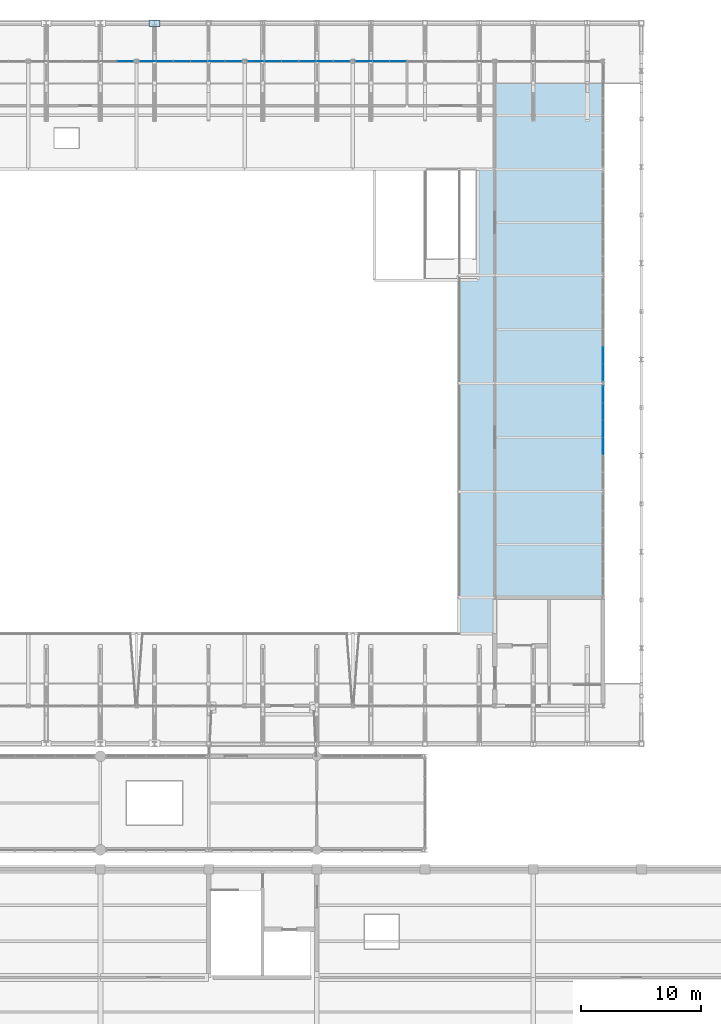
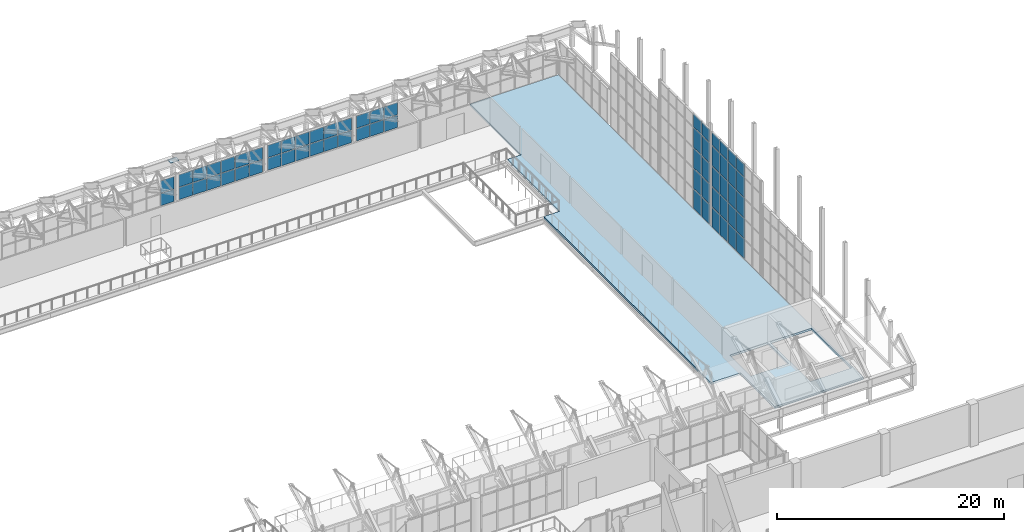
# One storey, part 103 of 134: 63 plates, 1 slab, 6 elements without a shape of their own.
"""IFC4 building model written with IfcOpenShell, lengths in metres."""

from ifc_helpers import new_model, si_unit, direction, frame, origin, origin_2d, place, context, subcontext, project, spatial, polyline, rectangle, outline, extrude, material, layer, layer_set, type_object, element, aggregate, save


model = new_model("IFC4")

# Units and contexts
model_context = context("Model", 3, precision=1e-05, world=origin(), true_north=direction((0.0, 1.0)))
body_context = subcontext(model_context, "Body", "Model", "MODEL_VIEW")
ifc_project = project(units=[si_unit("LENGTHUNIT", "METRE"), si_unit("AREAUNIT", "SQUARE_METRE"), si_unit("VOLUMEUNIT", "CUBIC_METRE"), si_unit("PLANEANGLEUNIT", "RADIAN"), si_unit("MASSUNIT", "GRAM", prefix="KILO")], contexts=[model_context])

# Site, building, storey
site_placement = place(None, origin())
site = spatial("IfcSite", under=ifc_project, at=site_placement, CompositionType="ELEMENT")
building_placement = place(site_placement, origin())
building = spatial("IfcBuilding", under=site, at=building_placement, Name="Cazmaro Siding Exhibition Halls", CompositionType="ELEMENT")
storey_placement = place(building_placement, frame((0.0, 0.0, 12.0)))
storey = spatial("IfcBuildingStorey", under=building, at=storey_placement, Name="L02", CompositionType="ELEMENT", Elevation=12.0)

# Plate
ifc_material_1 = material(Name="Steel ASTM A572 Grade 50", Category="steel")
ifc_layer_1 = layer(ifc_material_1, 0.053955078125)
ifc_layer_set_1 = layer_set([ifc_layer_1], Name="Steel ASTM A572 Grade 50")
plate_type_1 = type_object("IfcPlateType", Name="CP-10", PredefinedType="SHEET", material=ifc_layer_set_1)
plate_1_placement = place(storey_placement, frame((130.5, 123.949951171875, 1.9228515625), z_axis=(0.0, 0.0, 1.0), x_axis=(1.0, 0.0, 0.0)))
element("IfcPlate", 1, at=plate_1_placement, inside=storey, type_object=plate_type_1, Name="Space frame vault springing end-cap plate CP-10 node TN-01", PredefinedType="SHEET", context=body_context, shape_type="SweptSolid", body=[
    extrude(rectangle(XDim=0.8798828125, YDim=0.56005859375, at=origin_2d()), origin(), (0.0, 0.0, 1.0), 0.053955078125),
])

# Curtain wall, plates
ifc_material_2 = material(Name="Anodized Bronze Aluminum and Solar-Control Low-E Glazing", Category="aluminium")
ifc_layer_2 = layer(ifc_material_2, 0.219970703125)
ifc_layer_set_2 = layer_set([ifc_layer_2], Name="Anodized Bronze Aluminum and Solar-Control Low-E Glazing")
curtain_wall_type_1 = type_object("IfcCurtainWallType", Name="CWS-03", PredefinedType="USERDEFINED", material=ifc_layer_set_2)
curtain_wall_1_placement = place(storey_placement, origin())
curtain_wall_1 = element("IfcCurtainWall", 2, at=curtain_wall_1_placement, inside=storey, type_object=curtain_wall_type_1, Name="Glazed Curtain Wall CWS-03 CW-070", ObjectType="GLAZED CURTAIN WALL", PredefinedType="USERDEFINED")
ifc_material_3 = material(Name="Solar-Control Low-E Double Insulating Glass", Category="glass")
ifc_layer_3 = layer(ifc_material_3, 0.0458984375)
ifc_layer_set_3 = layer_set([ifc_layer_3], Name="Solar-Control Low-E Double Insulating Glass")
plate_type_2 = type_object("IfcPlateType", Name="CWP-03", PredefinedType="CURTAIN_PANEL", material=ifc_layer_set_3)
plate_2_placement = place(storey_placement, frame((167.800048828125, 88.779541015625, 0.06982421875), z_axis=(0.0, 0.0, 1.0), x_axis=(0.0, 1.0, 0.0)))
plate_2 = element("IfcPlate", 3, at=plate_2_placement, type_object=plate_type_2, Name="CWS-03 panel 3.1", PredefinedType="CURTAIN_PANEL", context=body_context, shape_type="SweptSolid", body=[
    extrude(rectangle(XDim=1.37109375, YDim=0.0458984375, at=origin_2d()), origin(), (0.0, 0.0, 1.0), 2.094970703125),
])
plate_3_placement = place(storey_placement, frame((167.800048828125, 88.779541015625, 2.235107421875), z_axis=(0.0, 0.0, 1.0), x_axis=(0.0, 1.0, 0.0)))
plate_3 = element("IfcPlate", 4, at=plate_3_placement, type_object=plate_type_2, Name="CWS-03 panel 3.2", PredefinedType="CURTAIN_PANEL", context=body_context, shape_type="SweptSolid", body=[
    extrude(rectangle(XDim=1.37109375, YDim=0.0458984375, at=origin_2d()), origin(), (0.0, 0.0, 1.0), 2.1298828125),
])
plate_4_placement = place(storey_placement, frame((167.800048828125, 88.779541015625, 4.43505859375), z_axis=(0.0, 0.0, 1.0), x_axis=(0.0, 1.0, 0.0)))
plate_4 = element("IfcPlate", 5, at=plate_4_placement, type_object=plate_type_2, Name="CWS-03 panel 3.3", PredefinedType="CURTAIN_PANEL", context=body_context, shape_type="SweptSolid", body=[
    extrude(rectangle(XDim=1.37109375, YDim=0.0458984375, at=origin_2d()), origin(), (0.0, 0.0, 1.0), 2.1298828125),
])
plate_5_placement = place(storey_placement, frame((167.800048828125, 88.779541015625, 6.635009765625), z_axis=(0.0, 0.0, 1.0), x_axis=(0.0, 1.0, 0.0)))
plate_5 = element("IfcPlate", 6, at=plate_5_placement, type_object=plate_type_2, Name="CWS-03 panel 3.4", PredefinedType="CURTAIN_PANEL", context=body_context, shape_type="SweptSolid", body=[
    extrude(rectangle(XDim=1.37109375, YDim=0.0458984375, at=origin_2d()), origin(), (0.0, 0.0, 1.0), 2.1298828125),
])
plate_6_placement = place(storey_placement, frame((167.800048828125, 88.779541015625, 8.8349609375), z_axis=(0.0, 0.0, 1.0), x_axis=(0.0, 1.0, 0.0)))
plate_6 = element("IfcPlate", 7, at=plate_6_placement, type_object=plate_type_2, Name="CWS-03 panel 3.5", PredefinedType="CURTAIN_PANEL", context=body_context, shape_type="SweptSolid", body=[
    extrude(rectangle(XDim=1.37109375, YDim=0.0458984375, at=origin_2d()), origin(), (0.0, 0.0, 1.0), 1.35302734375),
])
plate_7_placement = place(storey_placement, frame((167.800048828125, 90.220458984375, 0.06982421875), z_axis=(0.0, 0.0, 1.0), x_axis=(0.0, 1.0, 0.0)))
plate_7 = element("IfcPlate", 8, at=plate_7_placement, type_object=plate_type_2, Name="CWS-03 panel 4.1", PredefinedType="CURTAIN_PANEL", context=body_context, shape_type="SweptSolid", body=[
    extrude(rectangle(XDim=1.37109375, YDim=0.0458984375, at=origin_2d()), origin(), (0.0, 0.0, 1.0), 2.094970703125),
])
plate_8_placement = place(storey_placement, frame((167.800048828125, 90.220458984375, 2.235107421875), z_axis=(0.0, 0.0, 1.0), x_axis=(0.0, 1.0, 0.0)))
plate_8 = element("IfcPlate", 9, at=plate_8_placement, type_object=plate_type_2, Name="CWS-03 panel 4.2", PredefinedType="CURTAIN_PANEL", context=body_context, shape_type="SweptSolid", body=[
    extrude(rectangle(XDim=1.37109375, YDim=0.0458984375, at=origin_2d()), origin(), (0.0, 0.0, 1.0), 2.1298828125),
])
plate_9_placement = place(storey_placement, frame((167.800048828125, 90.220458984375, 4.43505859375), z_axis=(0.0, 0.0, 1.0), x_axis=(0.0, 1.0, 0.0)))
plate_9 = element("IfcPlate", 10, at=plate_9_placement, type_object=plate_type_2, Name="CWS-03 panel 4.3", PredefinedType="CURTAIN_PANEL", context=body_context, shape_type="SweptSolid", body=[
    extrude(rectangle(XDim=1.37109375, YDim=0.0458984375, at=origin_2d()), origin(), (0.0, 0.0, 1.0), 2.1298828125),
])
plate_10_placement = place(storey_placement, frame((167.800048828125, 90.220458984375, 6.635009765625), z_axis=(0.0, 0.0, 1.0), x_axis=(0.0, 1.0, 0.0)))
plate_10 = element("IfcPlate", 11, at=plate_10_placement, type_object=plate_type_2, Name="CWS-03 panel 4.4", PredefinedType="CURTAIN_PANEL", context=body_context, shape_type="SweptSolid", body=[
    extrude(rectangle(XDim=1.37109375, YDim=0.0458984375, at=origin_2d()), origin(), (0.0, 0.0, 1.0), 2.1298828125),
])
plate_11_placement = place(storey_placement, frame((167.800048828125, 90.220458984375, 8.8349609375), z_axis=(0.0, 0.0, 1.0), x_axis=(0.0, 1.0, 0.0)))
plate_11 = element("IfcPlate", 12, at=plate_11_placement, type_object=plate_type_2, Name="CWS-03 panel 4.5", PredefinedType="CURTAIN_PANEL", context=body_context, shape_type="SweptSolid", body=[
    extrude(rectangle(XDim=1.37109375, YDim=0.0458984375, at=origin_2d()), origin(), (0.0, 0.0, 1.0), 1.35302734375),
])
plate_12_placement = place(storey_placement, frame((167.800048828125, 91.66162109375, 0.06982421875), z_axis=(0.0, 0.0, 1.0), x_axis=(0.0, 1.0, 0.0)))
plate_12 = element("IfcPlate", 13, at=plate_12_placement, type_object=plate_type_2, Name="CWS-03 panel 5.1", PredefinedType="CURTAIN_PANEL", context=body_context, shape_type="SweptSolid", body=[
    extrude(rectangle(XDim=1.37109375, YDim=0.0458984375, at=origin_2d()), origin(), (0.0, 0.0, 1.0), 2.094970703125),
])
plate_13_placement = place(storey_placement, frame((167.800048828125, 91.66162109375, 2.235107421875), z_axis=(0.0, 0.0, 1.0), x_axis=(0.0, 1.0, 0.0)))
plate_13 = element("IfcPlate", 14, at=plate_13_placement, type_object=plate_type_2, Name="CWS-03 panel 5.2", PredefinedType="CURTAIN_PANEL", context=body_context, shape_type="SweptSolid", body=[
    extrude(rectangle(XDim=1.37109375, YDim=0.0458984375, at=origin_2d()), origin(), (0.0, 0.0, 1.0), 2.1298828125),
])
plate_14_placement = place(storey_placement, frame((167.800048828125, 91.66162109375, 4.43505859375), z_axis=(0.0, 0.0, 1.0), x_axis=(0.0, 1.0, 0.0)))
plate_14 = element("IfcPlate", 15, at=plate_14_placement, type_object=plate_type_2, Name="CWS-03 panel 5.3", PredefinedType="CURTAIN_PANEL", context=body_context, shape_type="SweptSolid", body=[
    extrude(rectangle(XDim=1.37109375, YDim=0.0458984375, at=origin_2d()), origin(), (0.0, 0.0, 1.0), 2.1298828125),
])
plate_15_placement = place(storey_placement, frame((167.800048828125, 91.66162109375, 6.635009765625), z_axis=(0.0, 0.0, 1.0), x_axis=(0.0, 1.0, 0.0)))
plate_15 = element("IfcPlate", 16, at=plate_15_placement, type_object=plate_type_2, Name="CWS-03 panel 5.4", PredefinedType="CURTAIN_PANEL", context=body_context, shape_type="SweptSolid", body=[
    extrude(rectangle(XDim=1.37109375, YDim=0.0458984375, at=origin_2d()), origin(), (0.0, 0.0, 1.0), 2.1298828125),
])
plate_16_placement = place(storey_placement, frame((167.800048828125, 91.66162109375, 8.8349609375), z_axis=(0.0, 0.0, 1.0), x_axis=(0.0, 1.0, 0.0)))
plate_16 = element("IfcPlate", 17, at=plate_16_placement, type_object=plate_type_2, Name="CWS-03 panel 5.5", PredefinedType="CURTAIN_PANEL", context=body_context, shape_type="SweptSolid", body=[
    extrude(rectangle(XDim=1.37109375, YDim=0.0458984375, at=origin_2d()), origin(), (0.0, 0.0, 1.0), 1.35302734375),
])
plate_17_placement = place(storey_placement, frame((167.800048828125, 93.0849609375, 0.06982421875), z_axis=(0.0, 0.0, 1.0), x_axis=(0.0, 1.0, 0.0)))
plate_17 = element("IfcPlate", 18, at=plate_17_placement, type_object=plate_type_2, Name="CWS-03 panel 6.1", PredefinedType="CURTAIN_PANEL", context=body_context, shape_type="SweptSolid", body=[
    extrude(rectangle(XDim=1.3359375, YDim=0.0458984375, at=origin_2d()), origin(), (0.0, 0.0, 1.0), 2.094970703125),
])
plate_18_placement = place(storey_placement, frame((167.800048828125, 93.0849609375, 2.235107421875), z_axis=(0.0, 0.0, 1.0), x_axis=(0.0, 1.0, 0.0)))
plate_18 = element("IfcPlate", 19, at=plate_18_placement, type_object=plate_type_2, Name="CWS-03 panel 6.2", PredefinedType="CURTAIN_PANEL", context=body_context, shape_type="SweptSolid", body=[
    extrude(rectangle(XDim=1.3359375, YDim=0.0458984375, at=origin_2d()), origin(), (0.0, 0.0, 1.0), 2.1298828125),
])
plate_19_placement = place(storey_placement, frame((167.800048828125, 93.0849609375, 4.43505859375), z_axis=(0.0, 0.0, 1.0), x_axis=(0.0, 1.0, 0.0)))
plate_19 = element("IfcPlate", 20, at=plate_19_placement, type_object=plate_type_2, Name="CWS-03 panel 6.3", PredefinedType="CURTAIN_PANEL", context=body_context, shape_type="SweptSolid", body=[
    extrude(rectangle(XDim=1.3359375, YDim=0.0458984375, at=origin_2d()), origin(), (0.0, 0.0, 1.0), 2.1298828125),
])
plate_20_placement = place(storey_placement, frame((167.800048828125, 93.0849609375, 6.635009765625), z_axis=(0.0, 0.0, 1.0), x_axis=(0.0, 1.0, 0.0)))
plate_20 = element("IfcPlate", 21, at=plate_20_placement, type_object=plate_type_2, Name="CWS-03 panel 6.4", PredefinedType="CURTAIN_PANEL", context=body_context, shape_type="SweptSolid", body=[
    extrude(rectangle(XDim=1.3359375, YDim=0.0458984375, at=origin_2d()), origin(), (0.0, 0.0, 1.0), 2.1298828125),
])
plate_21_placement = place(storey_placement, frame((167.800048828125, 93.0849609375, 8.8349609375), z_axis=(0.0, 0.0, 1.0), x_axis=(0.0, 1.0, 0.0)))
plate_21 = element("IfcPlate", 22, at=plate_21_placement, type_object=plate_type_2, Name="CWS-03 panel 6.5", PredefinedType="CURTAIN_PANEL", context=body_context, shape_type="SweptSolid", body=[
    extrude(rectangle(XDim=1.3359375, YDim=0.0458984375, at=origin_2d()), origin(), (0.0, 0.0, 1.0), 1.35302734375),
])
aggregate(curtain_wall_1, [plate_2, plate_3, plate_4, plate_5, plate_6, plate_7, plate_8, plate_9, plate_10, plate_11, plate_12, plate_13, plate_14, plate_15, plate_16, plate_17, plate_18, plate_19, plate_20, plate_21])

curtain_wall_2_placement = place(storey_placement, origin())
curtain_wall_2 = element("IfcCurtainWall", 23, at=curtain_wall_2_placement, inside=storey, type_object=curtain_wall_type_1, Name="Glazed Curtain Wall CWS-03 CW-073", ObjectType="GLAZED CURTAIN WALL", PredefinedType="USERDEFINED")
plate_22_placement = place(storey_placement, frame((167.800048828125, 94.9150390625, 0.06982421875), z_axis=(0.0, 0.0, 1.0), x_axis=(0.0, 1.0, 0.0)))
plate_22 = element("IfcPlate", 24, at=plate_22_placement, type_object=plate_type_2, Name="CWS-03 panel 1.1", PredefinedType="CURTAIN_PANEL", context=body_context, shape_type="SweptSolid", body=[
    extrude(rectangle(XDim=1.3359375, YDim=0.0458984375, at=origin_2d()), origin(), (0.0, 0.0, 1.0), 2.094970703125),
])
plate_23_placement = place(storey_placement, frame((167.800048828125, 94.9150390625, 2.235107421875), z_axis=(0.0, 0.0, 1.0), x_axis=(0.0, 1.0, 0.0)))
plate_23 = element("IfcPlate", 25, at=plate_23_placement, type_object=plate_type_2, Name="CWS-03 panel 1.2", PredefinedType="CURTAIN_PANEL", context=body_context, shape_type="SweptSolid", body=[
    extrude(rectangle(XDim=1.3359375, YDim=0.0458984375, at=origin_2d()), origin(), (0.0, 0.0, 1.0), 2.1298828125),
])
plate_24_placement = place(storey_placement, frame((167.800048828125, 94.9150390625, 4.43505859375), z_axis=(0.0, 0.0, 1.0), x_axis=(0.0, 1.0, 0.0)))
plate_24 = element("IfcPlate", 26, at=plate_24_placement, type_object=plate_type_2, Name="CWS-03 panel 1.3", PredefinedType="CURTAIN_PANEL", context=body_context, shape_type="SweptSolid", body=[
    extrude(rectangle(XDim=1.3359375, YDim=0.0458984375, at=origin_2d()), origin(), (0.0, 0.0, 1.0), 2.1298828125),
])
plate_25_placement = place(storey_placement, frame((167.800048828125, 94.9150390625, 6.635009765625), z_axis=(0.0, 0.0, 1.0), x_axis=(0.0, 1.0, 0.0)))
plate_25 = element("IfcPlate", 27, at=plate_25_placement, type_object=plate_type_2, Name="CWS-03 panel 1.4", PredefinedType="CURTAIN_PANEL", context=body_context, shape_type="SweptSolid", body=[
    extrude(rectangle(XDim=1.3359375, YDim=0.0458984375, at=origin_2d()), origin(), (0.0, 0.0, 1.0), 2.1298828125),
])
plate_26_placement = place(storey_placement, frame((167.800048828125, 94.9150390625, 8.8349609375), z_axis=(0.0, 0.0, 1.0), x_axis=(0.0, 1.0, 0.0)))
plate_26 = element("IfcPlate", 28, at=plate_26_placement, type_object=plate_type_2, Name="CWS-03 panel 1.5", PredefinedType="CURTAIN_PANEL", context=body_context, shape_type="SweptSolid", body=[
    extrude(rectangle(XDim=1.3359375, YDim=0.0458984375, at=origin_2d()), origin(), (0.0, 0.0, 1.0), 1.35302734375),
])
plate_27_placement = place(storey_placement, frame((167.800048828125, 96.33837890625, 0.06982421875), z_axis=(0.0, 0.0, 1.0), x_axis=(0.0, 1.0, 0.0)))
plate_27 = element("IfcPlate", 29, at=plate_27_placement, type_object=plate_type_2, Name="CWS-03 panel 2.1", PredefinedType="CURTAIN_PANEL", context=body_context, shape_type="SweptSolid", body=[
    extrude(rectangle(XDim=1.37109375, YDim=0.0458984375, at=origin_2d()), origin(), (0.0, 0.0, 1.0), 2.094970703125),
])
plate_28_placement = place(storey_placement, frame((167.800048828125, 96.33837890625, 2.235107421875), z_axis=(0.0, 0.0, 1.0), x_axis=(0.0, 1.0, 0.0)))
plate_28 = element("IfcPlate", 30, at=plate_28_placement, type_object=plate_type_2, Name="CWS-03 panel 2.2", PredefinedType="CURTAIN_PANEL", context=body_context, shape_type="SweptSolid", body=[
    extrude(rectangle(XDim=1.37109375, YDim=0.0458984375, at=origin_2d()), origin(), (0.0, 0.0, 1.0), 2.1298828125),
])
plate_29_placement = place(storey_placement, frame((167.800048828125, 96.33837890625, 4.43505859375), z_axis=(0.0, 0.0, 1.0), x_axis=(0.0, 1.0, 0.0)))
plate_29 = element("IfcPlate", 31, at=plate_29_placement, type_object=plate_type_2, Name="CWS-03 panel 2.3", PredefinedType="CURTAIN_PANEL", context=body_context, shape_type="SweptSolid", body=[
    extrude(rectangle(XDim=1.37109375, YDim=0.0458984375, at=origin_2d()), origin(), (0.0, 0.0, 1.0), 2.1298828125),
])
plate_30_placement = place(storey_placement, frame((167.800048828125, 96.33837890625, 6.635009765625), z_axis=(0.0, 0.0, 1.0), x_axis=(0.0, 1.0, 0.0)))
plate_30 = element("IfcPlate", 32, at=plate_30_placement, type_object=plate_type_2, Name="CWS-03 panel 2.4", PredefinedType="CURTAIN_PANEL", context=body_context, shape_type="SweptSolid", body=[
    extrude(rectangle(XDim=1.37109375, YDim=0.0458984375, at=origin_2d()), origin(), (0.0, 0.0, 1.0), 2.1298828125),
])
plate_31_placement = place(storey_placement, frame((167.800048828125, 96.33837890625, 8.8349609375), z_axis=(0.0, 0.0, 1.0), x_axis=(0.0, 1.0, 0.0)))
plate_31 = element("IfcPlate", 33, at=plate_31_placement, type_object=plate_type_2, Name="CWS-03 panel 2.5", PredefinedType="CURTAIN_PANEL", context=body_context, shape_type="SweptSolid", body=[
    extrude(rectangle(XDim=1.37109375, YDim=0.0458984375, at=origin_2d()), origin(), (0.0, 0.0, 1.0), 1.35302734375),
])
aggregate(curtain_wall_2, [plate_22, plate_23, plate_24, plate_25, plate_26, plate_27, plate_28, plate_29, plate_30, plate_31])

ifc_material_4 = material(Name="Anodized Bronze Aluminum and Solar-Control Low-E Glazing", Category="aluminium")
ifc_layer_4 = layer(ifc_material_4, 0.159912109375)
ifc_layer_set_4 = layer_set([ifc_layer_4], Name="Anodized Bronze Aluminum and Solar-Control Low-E Glazing")
curtain_wall_type_2 = type_object("IfcCurtainWallType", Name="CWS-04", PredefinedType="USERDEFINED", material=ifc_layer_set_4)
curtain_wall_3_placement = place(storey_placement, origin())
curtain_wall_3 = element("IfcCurtainWall", 34, at=curtain_wall_3_placement, inside=storey, type_object=curtain_wall_type_2, Name="Clerestory Curtain Wall CWS-04 CW-034", ObjectType="CLERESTORY CURTAIN WALL", PredefinedType="USERDEFINED")
ifc_material_5 = material(Name="Solar-Control Low-E Double Insulating Glass", Category="glass")
ifc_layer_5 = layer(ifc_material_5, 0.028076171875)
ifc_layer_set_5 = layer_set([ifc_layer_5], Name="Solar-Control Low-E Double Insulating Glass")
plate_type_3 = type_object("IfcPlateType", Name="CWP-04", PredefinedType="CURTAIN_PANEL", material=ifc_layer_set_5)
plate_32_placement = place(storey_placement, frame((128.07080078125, 120.800048828125, 0.06005859375), z_axis=(0.0, 0.0, 1.0), x_axis=(-1.0, 0.0, 0.0)))
plate_32 = element("IfcPlate", 35, at=plate_32_placement, type_object=plate_type_3, Name="CWS-04 panel 1.1", PredefinedType="CURTAIN_PANEL", context=body_context, shape_type="SweptSolid", body=[
    extrude(rectangle(XDim=1.34423828125, YDim=0.028076171875, at=origin_2d()), origin(), (0.0, 0.0, 1.0), 1.31005859375),
])
plate_33_placement = place(storey_placement, frame((128.07080078125, 120.800048828125, 1.429931640625), z_axis=(0.0, 0.0, 1.0), x_axis=(-1.0, 0.0, 0.0)))
plate_33 = element("IfcPlate", 36, at=plate_33_placement, type_object=plate_type_3, Name="CWS-04 panel 1.2", PredefinedType="CURTAIN_PANEL", context=body_context, shape_type="SweptSolid", body=[
    extrude(rectangle(XDim=1.34423828125, YDim=0.028076171875, at=origin_2d()), origin(), (0.0, 0.0, 1.0), 1.31005859375),
])
aggregate(curtain_wall_3, [plate_32, plate_33])

curtain_wall_4_placement = place(storey_placement, origin())
curtain_wall_4 = element("IfcCurtainWall", 37, at=curtain_wall_4_placement, inside=storey, type_object=curtain_wall_type_2, Name="Clerestory Curtain Wall CWS-04 CW-039", ObjectType="CLERESTORY CURTAIN WALL", PredefinedType="USERDEFINED")
plate_34_placement = place(storey_placement, frame((137.07080078125, 120.800048828125, 0.06005859375), z_axis=(0.0, 0.0, 1.0), x_axis=(-1.0, 0.0, 0.0)))
plate_34 = element("IfcPlate", 38, at=plate_34_placement, type_object=plate_type_3, Name="CWS-04 panel 1.1", PredefinedType="CURTAIN_PANEL", context=body_context, shape_type="SweptSolid", body=[
    extrude(rectangle(XDim=1.34423828125, YDim=0.028076171875, at=origin_2d()), origin(), (0.0, 0.0, 1.0), 1.31005859375),
])
plate_35_placement = place(storey_placement, frame((137.07080078125, 120.800048828125, 1.429931640625), z_axis=(0.0, 0.0, 1.0), x_axis=(-1.0, 0.0, 0.0)))
plate_35 = element("IfcPlate", 39, at=plate_35_placement, type_object=plate_type_3, Name="CWS-04 panel 1.2", PredefinedType="CURTAIN_PANEL", context=body_context, shape_type="SweptSolid", body=[
    extrude(rectangle(XDim=1.34423828125, YDim=0.028076171875, at=origin_2d()), origin(), (0.0, 0.0, 1.0), 1.31005859375),
])
plate_36_placement = place(storey_placement, frame((135.651611328125, 120.800048828125, 0.06005859375), z_axis=(0.0, 0.0, 1.0), x_axis=(-1.0, 0.0, 0.0)))
plate_36 = element("IfcPlate", 40, at=plate_36_placement, type_object=plate_type_3, Name="CWS-04 panel 2.1", PredefinedType="CURTAIN_PANEL", context=body_context, shape_type="SweptSolid", body=[
    extrude(rectangle(XDim=1.374267578125, YDim=0.028076171875, at=origin_2d()), origin(), (0.0, 0.0, 1.0), 1.31005859375),
])
plate_37_placement = place(storey_placement, frame((135.651611328125, 120.800048828125, 1.429931640625), z_axis=(0.0, 0.0, 1.0), x_axis=(-1.0, 0.0, 0.0)))
plate_37 = element("IfcPlate", 41, at=plate_37_placement, type_object=plate_type_3, Name="CWS-04 panel 2.2", PredefinedType="CURTAIN_PANEL", context=body_context, shape_type="SweptSolid", body=[
    extrude(rectangle(XDim=1.374267578125, YDim=0.028076171875, at=origin_2d()), origin(), (0.0, 0.0, 1.0), 1.31005859375),
])
plate_38_placement = place(storey_placement, frame((134.21728515625, 120.800048828125, 0.06005859375), z_axis=(0.0, 0.0, 1.0), x_axis=(-1.0, 0.0, 0.0)))
plate_38 = element("IfcPlate", 42, at=plate_38_placement, type_object=plate_type_3, Name="CWS-04 panel 3.1", PredefinedType="CURTAIN_PANEL", context=body_context, shape_type="SweptSolid", body=[
    extrude(rectangle(XDim=1.374267578125, YDim=0.028076171875, at=origin_2d()), origin(), (0.0, 0.0, 1.0), 1.31005859375),
])
plate_39_placement = place(storey_placement, frame((134.21728515625, 120.800048828125, 1.429931640625), z_axis=(0.0, 0.0, 1.0), x_axis=(-1.0, 0.0, 0.0)))
plate_39 = element("IfcPlate", 43, at=plate_39_placement, type_object=plate_type_3, Name="CWS-04 panel 3.2", PredefinedType="CURTAIN_PANEL", context=body_context, shape_type="SweptSolid", body=[
    extrude(rectangle(XDim=1.374267578125, YDim=0.028076171875, at=origin_2d()), origin(), (0.0, 0.0, 1.0), 1.31005859375),
])
plate_40_placement = place(storey_placement, frame((132.78271484375, 120.800048828125, 0.06005859375), z_axis=(0.0, 0.0, 1.0), x_axis=(-1.0, 0.0, 0.0)))
plate_40 = element("IfcPlate", 44, at=plate_40_placement, type_object=plate_type_3, Name="CWS-04 panel 4.1", PredefinedType="CURTAIN_PANEL", context=body_context, shape_type="SweptSolid", body=[
    extrude(rectangle(XDim=1.374267578125, YDim=0.028076171875, at=origin_2d()), origin(), (0.0, 0.0, 1.0), 1.31005859375),
])
plate_41_placement = place(storey_placement, frame((132.78271484375, 120.800048828125, 1.429931640625), z_axis=(0.0, 0.0, 1.0), x_axis=(-1.0, 0.0, 0.0)))
plate_41 = element("IfcPlate", 45, at=plate_41_placement, type_object=plate_type_3, Name="CWS-04 panel 4.2", PredefinedType="CURTAIN_PANEL", context=body_context, shape_type="SweptSolid", body=[
    extrude(rectangle(XDim=1.374267578125, YDim=0.028076171875, at=origin_2d()), origin(), (0.0, 0.0, 1.0), 1.31005859375),
])
plate_42_placement = place(storey_placement, frame((131.348388671875, 120.800048828125, 0.06005859375), z_axis=(0.0, 0.0, 1.0), x_axis=(-1.0, 0.0, 0.0)))
plate_42 = element("IfcPlate", 46, at=plate_42_placement, type_object=plate_type_3, Name="CWS-04 panel 5.1", PredefinedType="CURTAIN_PANEL", context=body_context, shape_type="SweptSolid", body=[
    extrude(rectangle(XDim=1.374267578125, YDim=0.028076171875, at=origin_2d()), origin(), (0.0, 0.0, 1.0), 1.31005859375),
])
plate_43_placement = place(storey_placement, frame((131.348388671875, 120.800048828125, 1.429931640625), z_axis=(0.0, 0.0, 1.0), x_axis=(-1.0, 0.0, 0.0)))
plate_43 = element("IfcPlate", 47, at=plate_43_placement, type_object=plate_type_3, Name="CWS-04 panel 5.2", PredefinedType="CURTAIN_PANEL", context=body_context, shape_type="SweptSolid", body=[
    extrude(rectangle(XDim=1.374267578125, YDim=0.028076171875, at=origin_2d()), origin(), (0.0, 0.0, 1.0), 1.31005859375),
])
plate_44_placement = place(storey_placement, frame((129.92919921875, 120.800048828125, 0.06005859375), z_axis=(0.0, 0.0, 1.0), x_axis=(-1.0, 0.0, 0.0)))
plate_44 = element("IfcPlate", 48, at=plate_44_placement, type_object=plate_type_3, Name="CWS-04 panel 6.1", PredefinedType="CURTAIN_PANEL", context=body_context, shape_type="SweptSolid", body=[
    extrude(rectangle(XDim=1.34423828125, YDim=0.028076171875, at=origin_2d()), origin(), (0.0, 0.0, 1.0), 1.31005859375),
])
plate_45_placement = place(storey_placement, frame((129.92919921875, 120.800048828125, 1.429931640625), z_axis=(0.0, 0.0, 1.0), x_axis=(-1.0, 0.0, 0.0)))
plate_45 = element("IfcPlate", 49, at=plate_45_placement, type_object=plate_type_3, Name="CWS-04 panel 6.2", PredefinedType="CURTAIN_PANEL", context=body_context, shape_type="SweptSolid", body=[
    extrude(rectangle(XDim=1.34423828125, YDim=0.028076171875, at=origin_2d()), origin(), (0.0, 0.0, 1.0), 1.31005859375),
])
aggregate(curtain_wall_4, [plate_34, plate_35, plate_36, plate_37, plate_38, plate_39, plate_40, plate_41, plate_42, plate_43, plate_44, plate_45])

curtain_wall_5_placement = place(storey_placement, origin())
curtain_wall_5 = element("IfcCurtainWall", 50, at=curtain_wall_5_placement, inside=storey, type_object=curtain_wall_type_2, Name="Clerestory Curtain Wall CWS-04 CW-042", ObjectType="CLERESTORY CURTAIN WALL", PredefinedType="USERDEFINED")
plate_46_placement = place(storey_placement, frame((146.07080078125, 120.800048828125, 0.06005859375), z_axis=(0.0, 0.0, 1.0), x_axis=(-1.0, 0.0, 0.0)))
plate_46 = element("IfcPlate", 51, at=plate_46_placement, type_object=plate_type_3, Name="CWS-04 panel 1.1", PredefinedType="CURTAIN_PANEL", context=body_context, shape_type="SweptSolid", body=[
    extrude(rectangle(XDim=1.34423828125, YDim=0.028076171875, at=origin_2d()), origin(), (0.0, 0.0, 1.0), 1.31005859375),
])
plate_47_placement = place(storey_placement, frame((146.07080078125, 120.800048828125, 1.429931640625), z_axis=(0.0, 0.0, 1.0), x_axis=(-1.0, 0.0, 0.0)))
plate_47 = element("IfcPlate", 52, at=plate_47_placement, type_object=plate_type_3, Name="CWS-04 panel 1.2", PredefinedType="CURTAIN_PANEL", context=body_context, shape_type="SweptSolid", body=[
    extrude(rectangle(XDim=1.34423828125, YDim=0.028076171875, at=origin_2d()), origin(), (0.0, 0.0, 1.0), 1.31005859375),
])
plate_48_placement = place(storey_placement, frame((144.651611328125, 120.800048828125, 0.06005859375), z_axis=(0.0, 0.0, 1.0), x_axis=(-1.0, 0.0, 0.0)))
plate_48 = element("IfcPlate", 53, at=plate_48_placement, type_object=plate_type_3, Name="CWS-04 panel 2.1", PredefinedType="CURTAIN_PANEL", context=body_context, shape_type="SweptSolid", body=[
    extrude(rectangle(XDim=1.374267578125, YDim=0.028076171875, at=origin_2d()), origin(), (0.0, 0.0, 1.0), 1.31005859375),
])
plate_49_placement = place(storey_placement, frame((144.651611328125, 120.800048828125, 1.429931640625), z_axis=(0.0, 0.0, 1.0), x_axis=(-1.0, 0.0, 0.0)))
plate_49 = element("IfcPlate", 54, at=plate_49_placement, type_object=plate_type_3, Name="CWS-04 panel 2.2", PredefinedType="CURTAIN_PANEL", context=body_context, shape_type="SweptSolid", body=[
    extrude(rectangle(XDim=1.374267578125, YDim=0.028076171875, at=origin_2d()), origin(), (0.0, 0.0, 1.0), 1.31005859375),
])
plate_50_placement = place(storey_placement, frame((143.21728515625, 120.800048828125, 0.06005859375), z_axis=(0.0, 0.0, 1.0), x_axis=(-1.0, 0.0, 0.0)))
plate_50 = element("IfcPlate", 55, at=plate_50_placement, type_object=plate_type_3, Name="CWS-04 panel 3.1", PredefinedType="CURTAIN_PANEL", context=body_context, shape_type="SweptSolid", body=[
    extrude(rectangle(XDim=1.374267578125, YDim=0.028076171875, at=origin_2d()), origin(), (0.0, 0.0, 1.0), 1.31005859375),
])
plate_51_placement = place(storey_placement, frame((143.21728515625, 120.800048828125, 1.429931640625), z_axis=(0.0, 0.0, 1.0), x_axis=(-1.0, 0.0, 0.0)))
plate_51 = element("IfcPlate", 56, at=plate_51_placement, type_object=plate_type_3, Name="CWS-04 panel 3.2", PredefinedType="CURTAIN_PANEL", context=body_context, shape_type="SweptSolid", body=[
    extrude(rectangle(XDim=1.374267578125, YDim=0.028076171875, at=origin_2d()), origin(), (0.0, 0.0, 1.0), 1.31005859375),
])
plate_52_placement = place(storey_placement, frame((141.78271484375, 120.800048828125, 0.06005859375), z_axis=(0.0, 0.0, 1.0), x_axis=(-1.0, 0.0, 0.0)))
plate_52 = element("IfcPlate", 57, at=plate_52_placement, type_object=plate_type_3, Name="CWS-04 panel 4.1", PredefinedType="CURTAIN_PANEL", context=body_context, shape_type="SweptSolid", body=[
    extrude(rectangle(XDim=1.374267578125, YDim=0.028076171875, at=origin_2d()), origin(), (0.0, 0.0, 1.0), 1.31005859375),
])
plate_53_placement = place(storey_placement, frame((141.78271484375, 120.800048828125, 1.429931640625), z_axis=(0.0, 0.0, 1.0), x_axis=(-1.0, 0.0, 0.0)))
plate_53 = element("IfcPlate", 58, at=plate_53_placement, type_object=plate_type_3, Name="CWS-04 panel 4.2", PredefinedType="CURTAIN_PANEL", context=body_context, shape_type="SweptSolid", body=[
    extrude(rectangle(XDim=1.374267578125, YDim=0.028076171875, at=origin_2d()), origin(), (0.0, 0.0, 1.0), 1.31005859375),
])
plate_54_placement = place(storey_placement, frame((140.348388671875, 120.800048828125, 0.06005859375), z_axis=(0.0, 0.0, 1.0), x_axis=(-1.0, 0.0, 0.0)))
plate_54 = element("IfcPlate", 59, at=plate_54_placement, type_object=plate_type_3, Name="CWS-04 panel 5.1", PredefinedType="CURTAIN_PANEL", context=body_context, shape_type="SweptSolid", body=[
    extrude(rectangle(XDim=1.374267578125, YDim=0.028076171875, at=origin_2d()), origin(), (0.0, 0.0, 1.0), 1.31005859375),
])
plate_55_placement = place(storey_placement, frame((140.348388671875, 120.800048828125, 1.429931640625), z_axis=(0.0, 0.0, 1.0), x_axis=(-1.0, 0.0, 0.0)))
plate_55 = element("IfcPlate", 60, at=plate_55_placement, type_object=plate_type_3, Name="CWS-04 panel 5.2", PredefinedType="CURTAIN_PANEL", context=body_context, shape_type="SweptSolid", body=[
    extrude(rectangle(XDim=1.374267578125, YDim=0.028076171875, at=origin_2d()), origin(), (0.0, 0.0, 1.0), 1.31005859375),
])
plate_56_placement = place(storey_placement, frame((138.92919921875, 120.800048828125, 0.06005859375), z_axis=(0.0, 0.0, 1.0), x_axis=(-1.0, 0.0, 0.0)))
plate_56 = element("IfcPlate", 61, at=plate_56_placement, type_object=plate_type_3, Name="CWS-04 panel 6.1", PredefinedType="CURTAIN_PANEL", context=body_context, shape_type="SweptSolid", body=[
    extrude(rectangle(XDim=1.34423828125, YDim=0.028076171875, at=origin_2d()), origin(), (0.0, 0.0, 1.0), 1.31005859375),
])
plate_57_placement = place(storey_placement, frame((138.92919921875, 120.800048828125, 1.429931640625), z_axis=(0.0, 0.0, 1.0), x_axis=(-1.0, 0.0, 0.0)))
plate_57 = element("IfcPlate", 62, at=plate_57_placement, type_object=plate_type_3, Name="CWS-04 panel 6.2", PredefinedType="CURTAIN_PANEL", context=body_context, shape_type="SweptSolid", body=[
    extrude(rectangle(XDim=1.34423828125, YDim=0.028076171875, at=origin_2d()), origin(), (0.0, 0.0, 1.0), 1.31005859375),
])
aggregate(curtain_wall_5, [plate_46, plate_47, plate_48, plate_49, plate_50, plate_51, plate_52, plate_53, plate_54, plate_55, plate_56, plate_57])

curtain_wall_6_placement = place(storey_placement, origin())
curtain_wall_6 = element("IfcCurtainWall", 63, at=curtain_wall_6_placement, inside=storey, type_object=curtain_wall_type_2, Name="Clerestory Curtain Wall CWS-04 CW-047", ObjectType="CLERESTORY CURTAIN WALL", PredefinedType="USERDEFINED")
plate_58_placement = place(storey_placement, frame((150.761474609375, 120.800048828125, 0.06005859375), z_axis=(0.0, 0.0, 1.0), x_axis=(-1.0, 0.0, 0.0)))
plate_58 = element("IfcPlate", 64, at=plate_58_placement, type_object=plate_type_3, Name="CWS-04 panel 6.1", PredefinedType="CURTAIN_PANEL", context=body_context, shape_type="SweptSolid", body=[
    extrude(rectangle(XDim=1.36572265625, YDim=0.028076171875, at=origin_2d()), origin(), (0.0, 0.0, 1.0), 1.31005859375),
])
plate_59_placement = place(storey_placement, frame((150.761474609375, 120.800048828125, 1.429931640625), z_axis=(0.0, 0.0, 1.0), x_axis=(-1.0, 0.0, 0.0)))
plate_59 = element("IfcPlate", 65, at=plate_59_placement, type_object=plate_type_3, Name="CWS-04 panel 6.2", PredefinedType="CURTAIN_PANEL", context=body_context, shape_type="SweptSolid", body=[
    extrude(rectangle(XDim=1.36572265625, YDim=0.028076171875, at=origin_2d()), origin(), (0.0, 0.0, 1.0), 1.31005859375),
])
plate_60_placement = place(storey_placement, frame((149.335693359375, 120.800048828125, 0.06005859375), z_axis=(0.0, 0.0, 1.0), x_axis=(-1.0, 0.0, 0.0)))
plate_60 = element("IfcPlate", 66, at=plate_60_placement, type_object=plate_type_3, Name="CWS-04 panel 7.1", PredefinedType="CURTAIN_PANEL", context=body_context, shape_type="SweptSolid", body=[
    extrude(rectangle(XDim=1.36572265625, YDim=0.028076171875, at=origin_2d()), origin(), (0.0, 0.0, 1.0), 1.31005859375),
])
plate_61_placement = place(storey_placement, frame((149.335693359375, 120.800048828125, 1.429931640625), z_axis=(0.0, 0.0, 1.0), x_axis=(-1.0, 0.0, 0.0)))
plate_61 = element("IfcPlate", 67, at=plate_61_placement, type_object=plate_type_3, Name="CWS-04 panel 7.2", PredefinedType="CURTAIN_PANEL", context=body_context, shape_type="SweptSolid", body=[
    extrude(rectangle(XDim=1.36572265625, YDim=0.028076171875, at=origin_2d()), origin(), (0.0, 0.0, 1.0), 1.31005859375),
])
plate_62_placement = place(storey_placement, frame((147.9248046875, 120.800048828125, 0.06005859375), z_axis=(0.0, 0.0, 1.0), x_axis=(-1.0, 0.0, 0.0)))
plate_62 = element("IfcPlate", 68, at=plate_62_placement, type_object=plate_type_3, Name="CWS-04 panel 8.1", PredefinedType="CURTAIN_PANEL", context=body_context, shape_type="SweptSolid", body=[
    extrude(rectangle(XDim=1.335693359375, YDim=0.028076171875, at=origin_2d()), origin(), (0.0, 0.0, 1.0), 1.31005859375),
])
plate_63_placement = place(storey_placement, frame((147.9248046875, 120.800048828125, 1.429931640625), z_axis=(0.0, 0.0, 1.0), x_axis=(-1.0, 0.0, 0.0)))
plate_63 = element("IfcPlate", 69, at=plate_63_placement, type_object=plate_type_3, Name="CWS-04 panel 8.2", PredefinedType="CURTAIN_PANEL", context=body_context, shape_type="SweptSolid", body=[
    extrude(rectangle(XDim=1.335693359375, YDim=0.028076171875, at=origin_2d()), origin(), (0.0, 0.0, 1.0), 1.31005859375),
])
aggregate(curtain_wall_6, [plate_58, plate_59, plate_60, plate_61, plate_62, plate_63])

# Slab
ifc_material_6 = material(Name="Concrete f'c 35 MPa", Category="concrete")
ifc_layer_6 = layer(ifc_material_6, 0.219970703125)
ifc_layer_set_6 = layer_set([ifc_layer_6], Name="Concrete f'c 35 MPa")
slab_type = type_object("IfcSlabType", Name="FS-01", PredefinedType="FLOOR", material=ifc_layer_set_6)
slab_placement = place(storey_placement, frame((0.0, 0.0, -0.219970703125)))
element("IfcSlab", 70, at=slab_placement, inside=storey, type_object=slab_type, Name="Hall A East Tech Gallery L02 FS-01 SLB-0026", PredefinedType="FLOOR", context=body_context, shape_type="SweptSolid", body=[
    extrude(outline(polyline([(158.800048828125, 67.199951171875), (167.800048828125, 67.199951171875), (167.800048828125, 120.800048828125), (158.800048828125, 120.800048828125), (158.800048828125, 111.800048828125), (157.39990234375, 111.800048828125), (157.39990234375, 102.60009765625), (155.800048828125, 102.60009765625), (155.800048828125, 73.199951171875), (158.800048828125, 73.199951171875), (158.800048828125, 67.199951171875)]), holes=[polyline([(163.425048828125, 68.97998046875), (167.6201171875, 68.97998046875), (167.6201171875, 76.02001953125), (163.425048828125, 76.02001953125), (163.425048828125, 68.97998046875)]), polyline([(159.320068359375, 72.320068359375), (163.175048828125, 72.320068359375), (163.175048828125, 76.02001953125), (159.320068359375, 76.02001953125), (159.320068359375, 72.320068359375)])]), origin(), (0.0, 0.0, 1.0), 0.219970703125),
])

save(model, "model.ifc")
